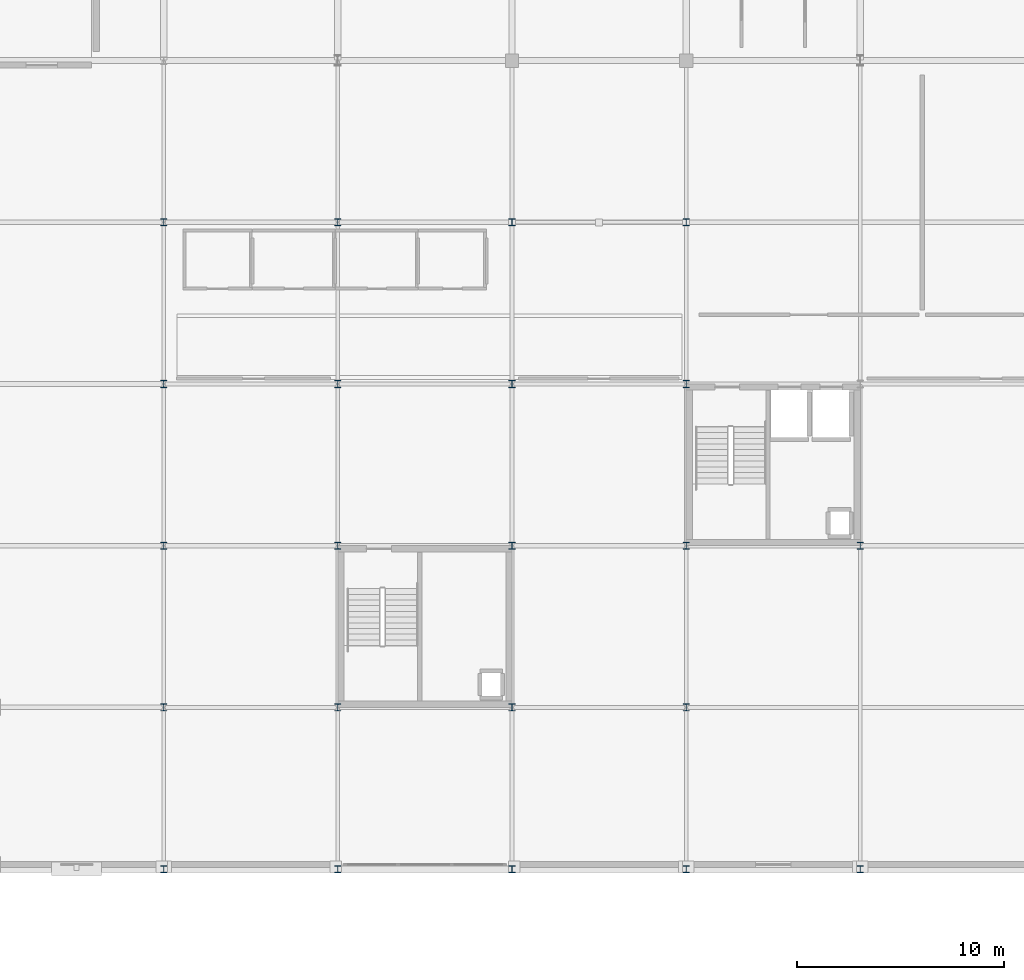
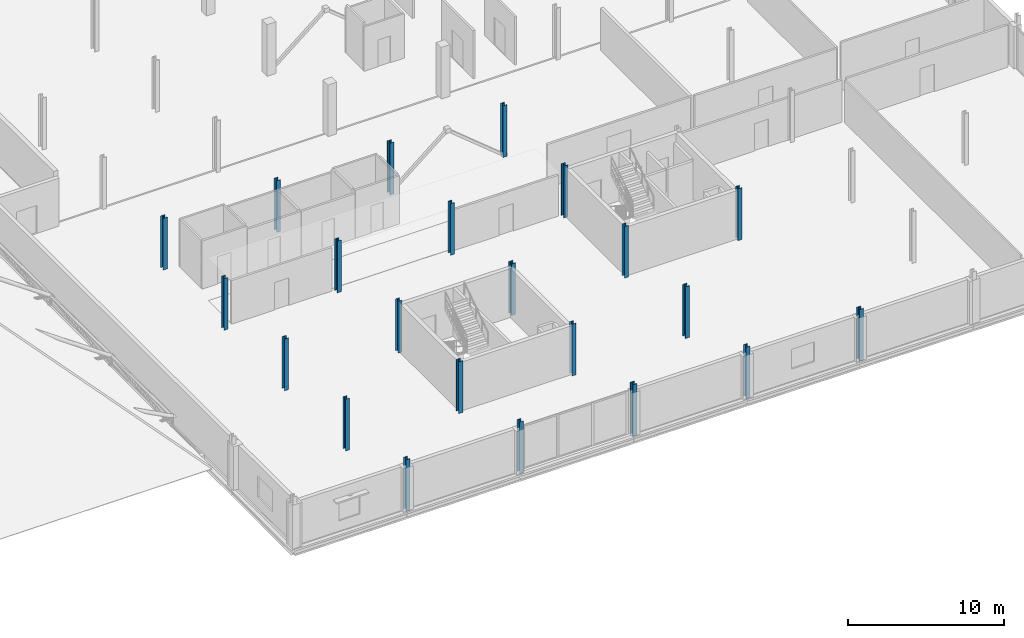
# One storey, part 8 of 77: 22 columns.
"""IFC4 building model written with IfcOpenShell, lengths in metres."""

from ifc_helpers import new_model, si_unit, direction, frame, origin, origin_2d, place, context, subcontext, project, spatial, i_section, extrude, material, material_profile, profile_set, type_object, element, save


model = new_model("IFC4")

# Units and contexts
model_context = context("Model", 3, precision=1e-05, world=origin(), true_north=direction((0.0, 1.0)))
body_context = subcontext(model_context, "Body", "Model", "MODEL_VIEW")
ifc_project = project(units=[si_unit("LENGTHUNIT", "METRE"), si_unit("AREAUNIT", "SQUARE_METRE"), si_unit("VOLUMEUNIT", "CUBIC_METRE"), si_unit("PLANEANGLEUNIT", "RADIAN"), si_unit("MASSUNIT", "GRAM", prefix="KILO")], contexts=[model_context])

# Site, building, storey
site_placement = place(None, origin())
site = spatial("IfcSite", under=ifc_project, at=site_placement, CompositionType="ELEMENT")
building_placement = place(site_placement, origin())
building = spatial("IfcBuilding", under=site, at=building_placement, Name="Nabrawat Pavilion Hospital", CompositionType="ELEMENT")
storey_placement = place(building_placement, frame((0.0, 0.0, 14.85009765625)))
storey = spatial("IfcBuildingStorey", under=building, at=storey_placement, Name="L03", CompositionType="ELEMENT", Elevation=14.85009765625)

# Columns
ifc_material = material(Name="Steel S355", Category="steel")
ifc_material_profile = material_profile(ifc_material, i_section(OverallWidth=0.300048828125, OverallDepth=0.340087890625, WebThickness=0.011962890625, FlangeThickness=0.021484375, FilletRadius=0.027099609375, at=origin_2d()), Name="HEB 340")
ifc_profile_set = profile_set([ifc_material_profile], Name="Steel S355")
column_type = type_object("IfcColumnType", Name="Upper Clinic Steel Column HEB 340", PredefinedType="COLUMN", material=ifc_profile_set)
for number, where, z_axis, x_axis, name in (
    (1, (134.39990234375, 0.0, 0.0), (0.0, 0.0, 1.0), (1.0, 0.0, 0.0), "L03 Structural Column G-17-A"),
    (2, (134.39990234375, 7.800048828125, 0.0), (0.0, 0.0, 1.0), (1.0, 0.0, 0.0), "L03 Structural Column G-17-B"),
    (3, (134.39990234375, 15.60009765625, 0.0), (0.0, 0.0, 1.0), (1.0, 0.0, 0.0), "L03 Structural Column G-17-C"),
    (4, (134.39990234375, 23.39990234375, 0.0), (0.0, 0.0, 1.0), (1.0, 0.0, 0.0), "L03 Structural Column G-17-D"),
    (5, (134.39990234375, 31.199951171875, 0.0), (0.0, 0.0, 1.0), (1.0, 0.0, 0.0), "L03 Structural Column G-17-E"),
    (6, (142.800048828125, 0.0, 0.0), (0.0, 0.0, 1.0), (1.0, 0.0, 0.0), "L03 Structural Column G-18-A"),
    (7, (142.800048828125, 7.800048828125, 0.0), (0.0, 0.0, 1.0), (1.0, 0.0, 0.0), "L03 Structural Column G-18-B"),
    (8, (142.800048828125, 15.60009765625, 0.0), (0.0, 0.0, 1.0), (1.0, 0.0, 0.0), "L03 Structural Column G-18-C"),
    (9, (142.800048828125, 23.39990234375, 0.0), (0.0, 0.0, 1.0), (1.0, 0.0, 0.0), "L03 Structural Column G-18-D"),
    (10, (142.800048828125, 31.199951171875, 0.0), (0.0, 0.0, 1.0), (1.0, 0.0, 0.0), "L03 Structural Column G-18-E"),
    (11, (151.199951171875, 0.0, 0.0), (0.0, 0.0, 1.0), (1.0, 0.0, 0.0), "L03 Structural Column G-19-A"),
    (12, (151.199951171875, 7.800048828125, 0.0), (0.0, 0.0, 1.0), (1.0, 0.0, 0.0), "L03 Structural Column G-19-B"),
    (13, (151.199951171875, 15.60009765625, 0.0), (0.0, 0.0, 1.0), (1.0, 0.0, 0.0), "L03 Structural Column G-19-C"),
    (14, (151.199951171875, 23.39990234375, 0.0), (0.0, 0.0, 1.0), (1.0, 0.0, 0.0), "L03 Structural Column G-19-D"),
    (15, (151.199951171875, 31.199951171875, 0.0), (0.0, 0.0, 1.0), (1.0, 0.0, 0.0), "L03 Structural Column G-19-E"),
    (16, (159.60009765625, 0.0, 0.0), (0.0, 0.0, 1.0), (1.0, 0.0, 0.0), "L03 Structural Column G-20-A"),
    (17, (159.60009765625, 7.800048828125, 0.0), (0.0, 0.0, 1.0), (1.0, 0.0, 0.0), "L03 Structural Column G-20-B"),
    (18, (159.60009765625, 15.60009765625, 0.0), (0.0, 0.0, 1.0), (1.0, 0.0, 0.0), "L03 Structural Column G-20-C"),
    (19, (159.60009765625, 23.39990234375, 0.0), (0.0, 0.0, 1.0), (1.0, 0.0, 0.0), "L03 Structural Column G-20-D"),
    (20, (159.60009765625, 31.199951171875, 0.0), (0.0, 0.0, 1.0), (1.0, 0.0, 0.0), "L03 Structural Column G-20-E"),
    (21, (168.0, 0.0, 0.0), (0.0, 0.0, 1.0), (1.0, 0.0, 0.0), "L03 Structural Column G-21-A"),
    (22, (168.0, 15.60009765625, 0.0), (0.0, 0.0, 1.0), (1.0, 0.0, 0.0), "L03 Structural Column G-21-C"),
):
    element("IfcColumn", number, at=place(storey_placement, frame(where, z_axis=z_axis, x_axis=x_axis)), inside=storey, type_object=column_type, Name=name, PredefinedType="COLUMN", context=body_context, shape_type="SweptSolid", body=[
        extrude(i_section(OverallWidth=0.300048828125, OverallDepth=0.340087890625, WebThickness=0.011962890625, FlangeThickness=0.021484375, FilletRadius=0.027099609375, at=origin_2d()), origin(), (0.0, 0.0, 1.0), 4.0498046875),
    ])

save(model, "model.ifc")
